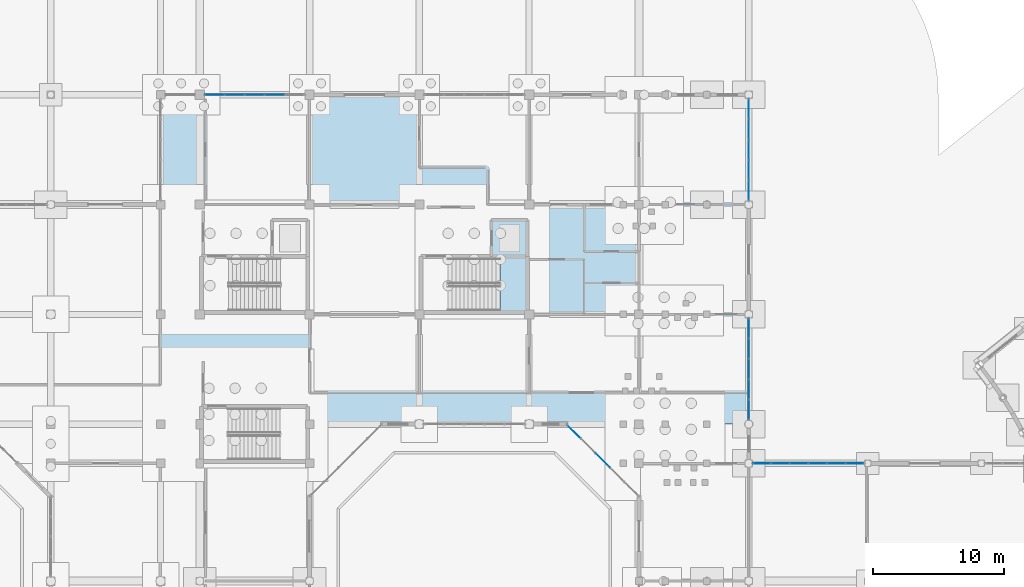
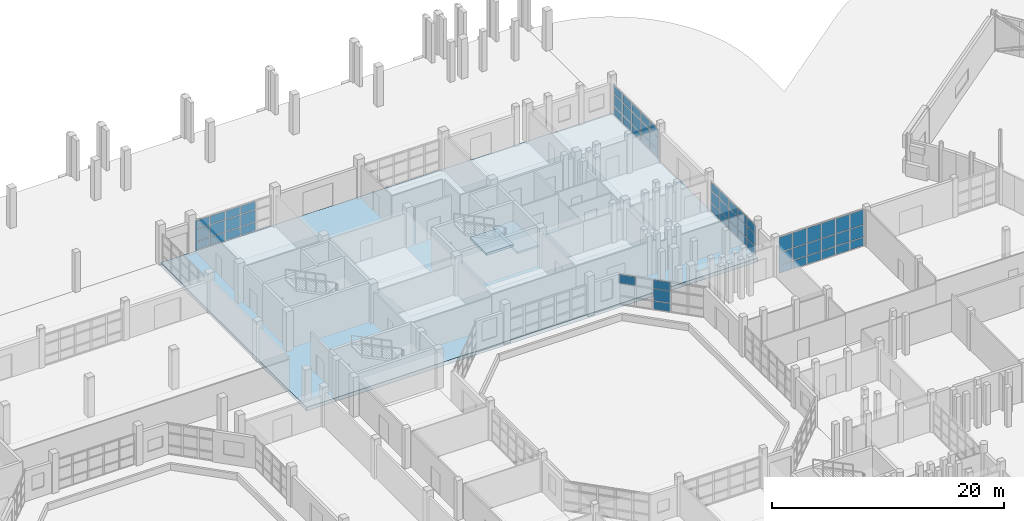
# One storey, part 53 of 88: 64 plates, 3 slabs, 6 elements without a shape of their own.
"""IFC4 building model written with IfcOpenShell, lengths in metres."""

from ifc_helpers import new_model, si_unit, direction, frame, origin, origin_2d, place, context, subcontext, project, spatial, polyline, rectangle, outline, extrude, material, layer, layer_set, type_object, element, aggregate, save


model = new_model("IFC4")

# Units and contexts
model_context = context("Model", 3, precision=1e-05, world=origin(), true_north=direction((0.0, 1.0)))
body_context = subcontext(model_context, "Body", "Model", "MODEL_VIEW")
ifc_project = project(units=[si_unit("LENGTHUNIT", "METRE"), si_unit("AREAUNIT", "SQUARE_METRE"), si_unit("VOLUMEUNIT", "CUBIC_METRE"), si_unit("PLANEANGLEUNIT", "RADIAN"), si_unit("MASSUNIT", "GRAM", prefix="KILO")], contexts=[model_context])

# Site, building, storey
site_placement = place(None, origin())
site = spatial("IfcSite", under=ifc_project, at=site_placement, CompositionType="ELEMENT")
building_placement = place(site_placement, origin())
building = spatial("IfcBuilding", under=site, at=building_placement, Name="Vanh Quang Courtyard School", CompositionType="ELEMENT")
storey_placement = place(building_placement, origin())
storey = spatial("IfcBuildingStorey", under=building, at=storey_placement, Name="L00", CompositionType="ELEMENT", Elevation=0.0)

# Curtain wall, plates
ifc_material_1 = material(Name="Thermally broken aluminium unitised curtain wall", Category="aluminium")
curtain_wall_type_1 = type_object("IfcCurtainWallType", Name="CW-SYS-01", PredefinedType="NOTDEFINED", material=ifc_material_1)
curtain_wall_1_placement = place(storey_placement, origin())
curtain_wall_1 = element("IfcCurtainWall", 1, at=curtain_wall_1_placement, inside=storey, type_object=curtain_wall_type_1, Name="Curtain Wall CW-01 (L00)", PredefinedType="NOTDEFINED")
ifc_material_2 = material(Name="Low-E laminated double glazing", Category="glass")
ifc_layer_1 = layer(ifc_material_2, 0.028076171875)
ifc_layer_set_1 = layer_set([ifc_layer_1], Name="Low-E laminated double glazing")
plate_type_1 = type_object("IfcPlateType", Name="CW-PNL-28", PredefinedType="CURTAIN_PANEL", material=ifc_layer_set_1)
plate_1_placement = place(storey_placement, frame((119.39990234375, 78.7236328125, 0.06005859375), z_axis=(0.0, 0.0, 1.0), x_axis=(0.0, -1.0, 0.0)))
plate_1 = element("IfcPlate", 2, at=plate_1_placement, type_object=plate_type_1, Name="CW-01 panel 1.1", PredefinedType="CURTAIN_PANEL", context=body_context, shape_type="SweptSolid", body=[
    extrude(rectangle(XDim=1.466796875, YDim=0.028076171875, at=origin_2d()), origin(), (0.0, 0.0, 1.0), 0.860107421875),
])
plate_2_placement = place(storey_placement, frame((119.39990234375, 78.7236328125, 0.97998046875), z_axis=(0.0, 0.0, 1.0), x_axis=(0.0, -1.0, 0.0)))
plate_2 = element("IfcPlate", 3, at=plate_2_placement, type_object=plate_type_1, Name="CW-01 panel 1.2", PredefinedType="CURTAIN_PANEL", context=body_context, shape_type="SweptSolid", body=[
    extrude(rectangle(XDim=1.466796875, YDim=0.028076171875, at=origin_2d()), origin(), (0.0, 0.0, 1.0), 1.239990234375),
])
plate_3_placement = place(storey_placement, frame((119.39990234375, 78.7236328125, 2.280029296875), z_axis=(0.0, 0.0, 1.0), x_axis=(0.0, -1.0, 0.0)))
plate_3 = element("IfcPlate", 4, at=plate_3_placement, type_object=plate_type_1, Name="CW-01 panel 1.3", PredefinedType="CURTAIN_PANEL", context=body_context, shape_type="SweptSolid", body=[
    extrude(rectangle(XDim=1.466796875, YDim=0.028076171875, at=origin_2d()), origin(), (0.0, 0.0, 1.0), 0.8798828125),
])
plate_4_placement = place(storey_placement, frame((119.39990234375, 77.181884765625, 0.06005859375), z_axis=(0.0, 0.0, 1.0), x_axis=(0.0, -1.0, 0.0)))
plate_4 = element("IfcPlate", 5, at=plate_4_placement, type_object=plate_type_1, Name="CW-01 panel 2.1", PredefinedType="CURTAIN_PANEL", context=body_context, shape_type="SweptSolid", body=[
    extrude(rectangle(XDim=1.496826171875, YDim=0.028076171875, at=origin_2d()), origin(), (0.0, 0.0, 1.0), 0.860107421875),
])
plate_5_placement = place(storey_placement, frame((119.39990234375, 77.181884765625, 0.97998046875), z_axis=(0.0, 0.0, 1.0), x_axis=(0.0, -1.0, 0.0)))
plate_5 = element("IfcPlate", 6, at=plate_5_placement, type_object=plate_type_1, Name="CW-01 panel 2.2", PredefinedType="CURTAIN_PANEL", context=body_context, shape_type="SweptSolid", body=[
    extrude(rectangle(XDim=1.496826171875, YDim=0.028076171875, at=origin_2d()), origin(), (0.0, 0.0, 1.0), 1.239990234375),
])
plate_6_placement = place(storey_placement, frame((119.39990234375, 77.181884765625, 2.280029296875), z_axis=(0.0, 0.0, 1.0), x_axis=(0.0, -1.0, 0.0)))
plate_6 = element("IfcPlate", 7, at=plate_6_placement, type_object=plate_type_1, Name="CW-01 panel 2.3", PredefinedType="CURTAIN_PANEL", context=body_context, shape_type="SweptSolid", body=[
    extrude(rectangle(XDim=1.496826171875, YDim=0.028076171875, at=origin_2d()), origin(), (0.0, 0.0, 1.0), 0.8798828125),
])
plate_7_placement = place(storey_placement, frame((119.39990234375, 75.625, 0.06005859375), z_axis=(0.0, 0.0, 1.0), x_axis=(0.0, -1.0, 0.0)))
plate_7 = element("IfcPlate", 8, at=plate_7_placement, type_object=plate_type_1, Name="CW-01 panel 3.1", PredefinedType="CURTAIN_PANEL", context=body_context, shape_type="SweptSolid", body=[
    extrude(rectangle(XDim=1.496826171875, YDim=0.028076171875, at=origin_2d()), origin(), (0.0, 0.0, 1.0), 0.860107421875),
])
plate_8_placement = place(storey_placement, frame((119.39990234375, 75.625, 0.97998046875), z_axis=(0.0, 0.0, 1.0), x_axis=(0.0, -1.0, 0.0)))
plate_8 = element("IfcPlate", 9, at=plate_8_placement, type_object=plate_type_1, Name="CW-01 panel 3.2", PredefinedType="CURTAIN_PANEL", context=body_context, shape_type="SweptSolid", body=[
    extrude(rectangle(XDim=1.496826171875, YDim=0.028076171875, at=origin_2d()), origin(), (0.0, 0.0, 1.0), 1.239990234375),
])
plate_9_placement = place(storey_placement, frame((119.39990234375, 75.625, 2.280029296875), z_axis=(0.0, 0.0, 1.0), x_axis=(0.0, -1.0, 0.0)))
plate_9 = element("IfcPlate", 10, at=plate_9_placement, type_object=plate_type_1, Name="CW-01 panel 3.3", PredefinedType="CURTAIN_PANEL", context=body_context, shape_type="SweptSolid", body=[
    extrude(rectangle(XDim=1.496826171875, YDim=0.028076171875, at=origin_2d()), origin(), (0.0, 0.0, 1.0), 0.8798828125),
])
plate_10_placement = place(storey_placement, frame((119.39990234375, 74.068115234375, 0.06005859375), z_axis=(0.0, 0.0, 1.0), x_axis=(0.0, -1.0, 0.0)))
plate_10 = element("IfcPlate", 11, at=plate_10_placement, type_object=plate_type_1, Name="CW-01 panel 4.1", PredefinedType="CURTAIN_PANEL", context=body_context, shape_type="SweptSolid", body=[
    extrude(rectangle(XDim=1.496826171875, YDim=0.028076171875, at=origin_2d()), origin(), (0.0, 0.0, 1.0), 0.860107421875),
])
plate_11_placement = place(storey_placement, frame((119.39990234375, 74.068115234375, 0.97998046875), z_axis=(0.0, 0.0, 1.0), x_axis=(0.0, -1.0, 0.0)))
plate_11 = element("IfcPlate", 12, at=plate_11_placement, type_object=plate_type_1, Name="CW-01 panel 4.2", PredefinedType="CURTAIN_PANEL", context=body_context, shape_type="SweptSolid", body=[
    extrude(rectangle(XDim=1.496826171875, YDim=0.028076171875, at=origin_2d()), origin(), (0.0, 0.0, 1.0), 1.239990234375),
])
plate_12_placement = place(storey_placement, frame((119.39990234375, 74.068115234375, 2.280029296875), z_axis=(0.0, 0.0, 1.0), x_axis=(0.0, -1.0, 0.0)))
plate_12 = element("IfcPlate", 13, at=plate_12_placement, type_object=plate_type_1, Name="CW-01 panel 4.3", PredefinedType="CURTAIN_PANEL", context=body_context, shape_type="SweptSolid", body=[
    extrude(rectangle(XDim=1.496826171875, YDim=0.028076171875, at=origin_2d()), origin(), (0.0, 0.0, 1.0), 0.8798828125),
])
plate_13_placement = place(storey_placement, frame((119.39990234375, 72.5263671875, 0.06005859375), z_axis=(0.0, 0.0, 1.0), x_axis=(0.0, -1.0, 0.0)))
plate_13 = element("IfcPlate", 14, at=plate_13_placement, type_object=plate_type_1, Name="CW-01 panel 5.1", PredefinedType="CURTAIN_PANEL", context=body_context, shape_type="SweptSolid", body=[
    extrude(rectangle(XDim=1.466796875, YDim=0.028076171875, at=origin_2d()), origin(), (0.0, 0.0, 1.0), 0.860107421875),
])
plate_14_placement = place(storey_placement, frame((119.39990234375, 72.5263671875, 0.97998046875), z_axis=(0.0, 0.0, 1.0), x_axis=(0.0, -1.0, 0.0)))
plate_14 = element("IfcPlate", 15, at=plate_14_placement, type_object=plate_type_1, Name="CW-01 panel 5.2", PredefinedType="CURTAIN_PANEL", context=body_context, shape_type="SweptSolid", body=[
    extrude(rectangle(XDim=1.466796875, YDim=0.028076171875, at=origin_2d()), origin(), (0.0, 0.0, 1.0), 1.239990234375),
])
plate_15_placement = place(storey_placement, frame((119.39990234375, 72.5263671875, 2.280029296875), z_axis=(0.0, 0.0, 1.0), x_axis=(0.0, -1.0, 0.0)))
plate_15 = element("IfcPlate", 16, at=plate_15_placement, type_object=plate_type_1, Name="CW-01 panel 5.3", PredefinedType="CURTAIN_PANEL", context=body_context, shape_type="SweptSolid", body=[
    extrude(rectangle(XDim=1.466796875, YDim=0.028076171875, at=origin_2d()), origin(), (0.0, 0.0, 1.0), 0.8798828125),
])
aggregate(curtain_wall_1, [plate_1, plate_2, plate_3, plate_4, plate_5, plate_6, plate_7, plate_8, plate_9, plate_10, plate_11, plate_12, plate_13, plate_14, plate_15])

curtain_wall_2_placement = place(storey_placement, origin())
curtain_wall_2 = element("IfcCurtainWall", 17, at=curtain_wall_2_placement, inside=storey, type_object=curtain_wall_type_1, Name="Curtain Wall CW-01 (L00)", PredefinedType="NOTDEFINED")
plate_16_placement = place(storey_placement, frame((108.22802734375, 68.6279296875, 0.06982421875), z_axis=(0.0, 0.0, 1.0), x_axis=(-0.707106781187, 0.707106781187, 0.0)))
plate_16 = element("IfcPlate", 18, at=plate_16_placement, type_object=plate_type_1, Name="CW-01 panel 3.1", PredefinedType="CURTAIN_PANEL", context=body_context, shape_type="SweptSolid", body=[
    extrude(rectangle(XDim=1.498046875, YDim=0.028076171875, at=origin_2d()), origin(), (0.0, 0.0, 1.0), 0.844970703125),
])
plate_17_placement = place(storey_placement, frame((108.22802734375, 68.6279296875, 0.985107421875), z_axis=(0.0, 0.0, 1.0), x_axis=(-0.707106781187, 0.707106781187, 0.0)))
plate_17 = element("IfcPlate", 19, at=plate_17_placement, type_object=plate_type_1, Name="CW-01 panel 3.2", PredefinedType="CURTAIN_PANEL", context=body_context, shape_type="SweptSolid", body=[
    extrude(rectangle(XDim=1.498046875, YDim=0.028076171875, at=origin_2d()), origin(), (0.0, 0.0, 1.0), 1.22998046875),
])
plate_18_placement = place(storey_placement, frame((108.22802734375, 68.6279296875, 2.28515625), z_axis=(0.0, 0.0, 1.0), x_axis=(-0.707106781187, 0.707106781187, 0.0)))
plate_18 = element("IfcPlate", 20, at=plate_18_placement, type_object=plate_type_1, Name="CW-01 panel 3.3", PredefinedType="CURTAIN_PANEL", context=body_context, shape_type="SweptSolid", body=[
    extrude(rectangle(XDim=1.498046875, YDim=0.028076171875, at=origin_2d()), origin(), (0.0, 0.0, 1.0), 0.864990234375),
])
plate_19_placement = place(storey_placement, frame((106.022705078125, 70.833251953125, 2.28515625), z_axis=(0.0, 0.0, 1.0), x_axis=(-0.707106781187, 0.707106781187, 0.0)))
plate_19 = element("IfcPlate", 21, at=plate_19_placement, type_object=plate_type_1, Name="CW-01 panel 5.3", PredefinedType="CURTAIN_PANEL", context=body_context, shape_type="SweptSolid", body=[
    extrude(rectangle(XDim=1.463134765625, YDim=0.028076171875, at=origin_2d()), origin(), (0.0, 0.0, 1.0), 0.864990234375),
])
aggregate(curtain_wall_2, [plate_16, plate_17, plate_18, plate_19])

curtain_wall_type_2 = type_object("IfcCurtainWallType", Name="CW-SYS-02", PredefinedType="NOTDEFINED", material=ifc_material_1)
curtain_wall_3_placement = place(storey_placement, origin())
curtain_wall_3 = element("IfcCurtainWall", 22, at=curtain_wall_3_placement, inside=storey, type_object=curtain_wall_type_2, Name="Curtain Wall CW-02 (L00)", PredefinedType="NOTDEFINED")
ifc_layer_2 = layer(ifc_material_2, 0.031982421875)
ifc_layer_set_2 = layer_set([ifc_layer_2], Name="Low-E laminated double glazing")
plate_type_2 = type_object("IfcPlateType", Name="CW-PNL-32", PredefinedType="CURTAIN_PANEL", material=ifc_layer_set_2)
plate_20_placement = place(storey_placement, frame((78.54150390625, 96.60009765625, 0.06005859375), z_axis=(0.0, 0.0, 1.0), x_axis=(1.0, 0.0, 0.0)))
plate_20 = element("IfcPlate", 23, at=plate_20_placement, type_object=plate_type_2, Name="CW-02 panel 1.1", PredefinedType="CURTAIN_PANEL", context=body_context, shape_type="SweptSolid", body=[
    extrude(rectangle(XDim=1.44677734375, YDim=0.031982421875, at=origin_2d()), origin(), (0.0, 0.0, 1.0), 0.860107421875),
])
plate_21_placement = place(storey_placement, frame((78.54150390625, 96.60009765625, 0.97998046875), z_axis=(0.0, 0.0, 1.0), x_axis=(1.0, 0.0, 0.0)))
plate_21 = element("IfcPlate", 24, at=plate_21_placement, type_object=plate_type_2, Name="CW-02 panel 1.2", PredefinedType="CURTAIN_PANEL", context=body_context, shape_type="SweptSolid", body=[
    extrude(rectangle(XDim=1.44677734375, YDim=0.031982421875, at=origin_2d()), origin(), (0.0, 0.0, 1.0), 1.239990234375),
])
plate_22_placement = place(storey_placement, frame((78.54150390625, 96.60009765625, 2.280029296875), z_axis=(0.0, 0.0, 1.0), x_axis=(1.0, 0.0, 0.0)))
plate_22 = element("IfcPlate", 25, at=plate_22_placement, type_object=plate_type_2, Name="CW-02 panel 1.3", PredefinedType="CURTAIN_PANEL", context=body_context, shape_type="SweptSolid", body=[
    extrude(rectangle(XDim=1.44677734375, YDim=0.031982421875, at=origin_2d()), origin(), (0.0, 0.0, 1.0), 0.8798828125),
])
plate_23_placement = place(storey_placement, frame((80.063232421875, 96.60009765625, 0.06005859375), z_axis=(0.0, 0.0, 1.0), x_axis=(1.0, 0.0, 0.0)))
plate_23 = element("IfcPlate", 26, at=plate_23_placement, type_object=plate_type_2, Name="CW-02 panel 2.1", PredefinedType="CURTAIN_PANEL", context=body_context, shape_type="SweptSolid", body=[
    extrude(rectangle(XDim=1.476806640625, YDim=0.031982421875, at=origin_2d()), origin(), (0.0, 0.0, 1.0), 0.860107421875),
])
plate_24_placement = place(storey_placement, frame((80.063232421875, 96.60009765625, 0.97998046875), z_axis=(0.0, 0.0, 1.0), x_axis=(1.0, 0.0, 0.0)))
plate_24 = element("IfcPlate", 27, at=plate_24_placement, type_object=plate_type_2, Name="CW-02 panel 2.2", PredefinedType="CURTAIN_PANEL", context=body_context, shape_type="SweptSolid", body=[
    extrude(rectangle(XDim=1.476806640625, YDim=0.031982421875, at=origin_2d()), origin(), (0.0, 0.0, 1.0), 1.239990234375),
])
plate_25_placement = place(storey_placement, frame((80.063232421875, 96.60009765625, 2.280029296875), z_axis=(0.0, 0.0, 1.0), x_axis=(1.0, 0.0, 0.0)))
plate_25 = element("IfcPlate", 28, at=plate_25_placement, type_object=plate_type_2, Name="CW-02 panel 2.3", PredefinedType="CURTAIN_PANEL", context=body_context, shape_type="SweptSolid", body=[
    extrude(rectangle(XDim=1.476806640625, YDim=0.031982421875, at=origin_2d()), origin(), (0.0, 0.0, 1.0), 0.8798828125),
])
plate_26_placement = place(storey_placement, frame((81.60009765625, 96.60009765625, 0.06005859375), z_axis=(0.0, 0.0, 1.0), x_axis=(1.0, 0.0, 0.0)))
plate_26 = element("IfcPlate", 29, at=plate_26_placement, type_object=plate_type_2, Name="CW-02 panel 3.1", PredefinedType="CURTAIN_PANEL", context=body_context, shape_type="SweptSolid", body=[
    extrude(rectangle(XDim=1.476806640625, YDim=0.031982421875, at=origin_2d()), origin(), (0.0, 0.0, 1.0), 0.860107421875),
])
plate_27_placement = place(storey_placement, frame((81.60009765625, 96.60009765625, 0.97998046875), z_axis=(0.0, 0.0, 1.0), x_axis=(1.0, 0.0, 0.0)))
plate_27 = element("IfcPlate", 30, at=plate_27_placement, type_object=plate_type_2, Name="CW-02 panel 3.2", PredefinedType="CURTAIN_PANEL", context=body_context, shape_type="SweptSolid", body=[
    extrude(rectangle(XDim=1.476806640625, YDim=0.031982421875, at=origin_2d()), origin(), (0.0, 0.0, 1.0), 1.239990234375),
])
plate_28_placement = place(storey_placement, frame((81.60009765625, 96.60009765625, 2.280029296875), z_axis=(0.0, 0.0, 1.0), x_axis=(1.0, 0.0, 0.0)))
plate_28 = element("IfcPlate", 31, at=plate_28_placement, type_object=plate_type_2, Name="CW-02 panel 3.3", PredefinedType="CURTAIN_PANEL", context=body_context, shape_type="SweptSolid", body=[
    extrude(rectangle(XDim=1.476806640625, YDim=0.031982421875, at=origin_2d()), origin(), (0.0, 0.0, 1.0), 0.8798828125),
])
plate_29_placement = place(storey_placement, frame((83.13671875, 96.60009765625, 0.06005859375), z_axis=(0.0, 0.0, 1.0), x_axis=(1.0, 0.0, 0.0)))
plate_29 = element("IfcPlate", 32, at=plate_29_placement, type_object=plate_type_2, Name="CW-02 panel 4.1", PredefinedType="CURTAIN_PANEL", context=body_context, shape_type="SweptSolid", body=[
    extrude(rectangle(XDim=1.476806640625, YDim=0.031982421875, at=origin_2d()), origin(), (0.0, 0.0, 1.0), 0.860107421875),
])
plate_30_placement = place(storey_placement, frame((83.13671875, 96.60009765625, 0.97998046875), z_axis=(0.0, 0.0, 1.0), x_axis=(1.0, 0.0, 0.0)))
plate_30 = element("IfcPlate", 33, at=plate_30_placement, type_object=plate_type_2, Name="CW-02 panel 4.2", PredefinedType="CURTAIN_PANEL", context=body_context, shape_type="SweptSolid", body=[
    extrude(rectangle(XDim=1.476806640625, YDim=0.031982421875, at=origin_2d()), origin(), (0.0, 0.0, 1.0), 1.239990234375),
])
plate_31_placement = place(storey_placement, frame((83.13671875, 96.60009765625, 2.280029296875), z_axis=(0.0, 0.0, 1.0), x_axis=(1.0, 0.0, 0.0)))
plate_31 = element("IfcPlate", 34, at=plate_31_placement, type_object=plate_type_2, Name="CW-02 panel 4.3", PredefinedType="CURTAIN_PANEL", context=body_context, shape_type="SweptSolid", body=[
    extrude(rectangle(XDim=1.476806640625, YDim=0.031982421875, at=origin_2d()), origin(), (0.0, 0.0, 1.0), 0.8798828125),
])
aggregate(curtain_wall_3, [plate_20, plate_21, plate_22, plate_23, plate_24, plate_25, plate_26, plate_27, plate_28, plate_29, plate_30, plate_31])

curtain_wall_4_placement = place(storey_placement, origin())
curtain_wall_4 = element("IfcCurtainWall", 35, at=curtain_wall_4_placement, inside=storey, type_object=curtain_wall_type_1, Name="Curtain Wall CW-01 (L00)", PredefinedType="NOTDEFINED")
plate_32_placement = place(storey_placement, frame((119.39990234375, 95.513671875, 0.080078125), z_axis=(0.0, 0.0, 1.0), x_axis=(0.0, -1.0, 0.0)))
plate_32 = element("IfcPlate", 36, at=plate_32_placement, type_object=plate_type_2, Name="CW-01 panel 1.1", PredefinedType="CURTAIN_PANEL", context=body_context, shape_type="SweptSolid", body=[
    extrude(rectangle(XDim=1.44677734375, YDim=0.031982421875, at=origin_2d()), origin(), (0.0, 0.0, 1.0), 0.830078125),
])
plate_33_placement = place(storey_placement, frame((119.39990234375, 95.513671875, 0.990234375), z_axis=(0.0, 0.0, 1.0), x_axis=(0.0, -1.0, 0.0)))
plate_33 = element("IfcPlate", 37, at=plate_33_placement, type_object=plate_type_2, Name="CW-01 panel 1.2", PredefinedType="CURTAIN_PANEL", context=body_context, shape_type="SweptSolid", body=[
    extrude(rectangle(XDim=1.44677734375, YDim=0.031982421875, at=origin_2d()), origin(), (0.0, 0.0, 1.0), 1.219970703125),
])
plate_34_placement = place(storey_placement, frame((119.39990234375, 95.513671875, 2.2900390625), z_axis=(0.0, 0.0, 1.0), x_axis=(0.0, -1.0, 0.0)))
plate_34 = element("IfcPlate", 38, at=plate_34_placement, type_object=plate_type_2, Name="CW-01 panel 1.3", PredefinedType="CURTAIN_PANEL", context=body_context, shape_type="SweptSolid", body=[
    extrude(rectangle(XDim=1.44677734375, YDim=0.031982421875, at=origin_2d()), origin(), (0.0, 0.0, 1.0), 0.85009765625),
])
plate_35_placement = place(storey_placement, frame((119.39990234375, 93.966796875, 0.080078125), z_axis=(0.0, 0.0, 1.0), x_axis=(0.0, -1.0, 0.0)))
plate_35 = element("IfcPlate", 39, at=plate_35_placement, type_object=plate_type_2, Name="CW-01 panel 2.1", PredefinedType="CURTAIN_PANEL", context=body_context, shape_type="SweptSolid", body=[
    extrude(rectangle(XDim=1.48681640625, YDim=0.031982421875, at=origin_2d()), origin(), (0.0, 0.0, 1.0), 0.830078125),
])
plate_36_placement = place(storey_placement, frame((119.39990234375, 93.966796875, 0.990234375), z_axis=(0.0, 0.0, 1.0), x_axis=(0.0, -1.0, 0.0)))
plate_36 = element("IfcPlate", 40, at=plate_36_placement, type_object=plate_type_2, Name="CW-01 panel 2.2", PredefinedType="CURTAIN_PANEL", context=body_context, shape_type="SweptSolid", body=[
    extrude(rectangle(XDim=1.48681640625, YDim=0.031982421875, at=origin_2d()), origin(), (0.0, 0.0, 1.0), 1.219970703125),
])
plate_37_placement = place(storey_placement, frame((119.39990234375, 93.966796875, 2.2900390625), z_axis=(0.0, 0.0, 1.0), x_axis=(0.0, -1.0, 0.0)))
plate_37 = element("IfcPlate", 41, at=plate_37_placement, type_object=plate_type_2, Name="CW-01 panel 2.3", PredefinedType="CURTAIN_PANEL", context=body_context, shape_type="SweptSolid", body=[
    extrude(rectangle(XDim=1.48681640625, YDim=0.031982421875, at=origin_2d()), origin(), (0.0, 0.0, 1.0), 0.85009765625),
])
plate_38_placement = place(storey_placement, frame((119.39990234375, 92.39990234375, 0.080078125), z_axis=(0.0, 0.0, 1.0), x_axis=(0.0, -1.0, 0.0)))
plate_38 = element("IfcPlate", 42, at=plate_38_placement, type_object=plate_type_2, Name="CW-01 panel 3.1", PredefinedType="CURTAIN_PANEL", context=body_context, shape_type="SweptSolid", body=[
    extrude(rectangle(XDim=1.48681640625, YDim=0.031982421875, at=origin_2d()), origin(), (0.0, 0.0, 1.0), 0.830078125),
])
plate_39_placement = place(storey_placement, frame((119.39990234375, 92.39990234375, 0.990234375), z_axis=(0.0, 0.0, 1.0), x_axis=(0.0, -1.0, 0.0)))
plate_39 = element("IfcPlate", 43, at=plate_39_placement, type_object=plate_type_2, Name="CW-01 panel 3.2", PredefinedType="CURTAIN_PANEL", context=body_context, shape_type="SweptSolid", body=[
    extrude(rectangle(XDim=1.48681640625, YDim=0.031982421875, at=origin_2d()), origin(), (0.0, 0.0, 1.0), 1.219970703125),
])
plate_40_placement = place(storey_placement, frame((119.39990234375, 92.39990234375, 2.2900390625), z_axis=(0.0, 0.0, 1.0), x_axis=(0.0, -1.0, 0.0)))
plate_40 = element("IfcPlate", 44, at=plate_40_placement, type_object=plate_type_2, Name="CW-01 panel 3.3", PredefinedType="CURTAIN_PANEL", context=body_context, shape_type="SweptSolid", body=[
    extrude(rectangle(XDim=1.48681640625, YDim=0.031982421875, at=origin_2d()), origin(), (0.0, 0.0, 1.0), 0.85009765625),
])
plate_41_placement = place(storey_placement, frame((119.39990234375, 90.833251953125, 0.080078125), z_axis=(0.0, 0.0, 1.0), x_axis=(0.0, -1.0, 0.0)))
plate_41 = element("IfcPlate", 45, at=plate_41_placement, type_object=plate_type_2, Name="CW-01 panel 4.1", PredefinedType="CURTAIN_PANEL", context=body_context, shape_type="SweptSolid", body=[
    extrude(rectangle(XDim=1.48681640625, YDim=0.031982421875, at=origin_2d()), origin(), (0.0, 0.0, 1.0), 0.830078125),
])
plate_42_placement = place(storey_placement, frame((119.39990234375, 90.833251953125, 0.990234375), z_axis=(0.0, 0.0, 1.0), x_axis=(0.0, -1.0, 0.0)))
plate_42 = element("IfcPlate", 46, at=plate_42_placement, type_object=plate_type_2, Name="CW-01 panel 4.2", PredefinedType="CURTAIN_PANEL", context=body_context, shape_type="SweptSolid", body=[
    extrude(rectangle(XDim=1.48681640625, YDim=0.031982421875, at=origin_2d()), origin(), (0.0, 0.0, 1.0), 1.219970703125),
])
plate_43_placement = place(storey_placement, frame((119.39990234375, 90.833251953125, 2.2900390625), z_axis=(0.0, 0.0, 1.0), x_axis=(0.0, -1.0, 0.0)))
plate_43 = element("IfcPlate", 47, at=plate_43_placement, type_object=plate_type_2, Name="CW-01 panel 4.3", PredefinedType="CURTAIN_PANEL", context=body_context, shape_type="SweptSolid", body=[
    extrude(rectangle(XDim=1.48681640625, YDim=0.031982421875, at=origin_2d()), origin(), (0.0, 0.0, 1.0), 0.85009765625),
])
plate_44_placement = place(storey_placement, frame((119.39990234375, 89.286376953125, 0.080078125), z_axis=(0.0, 0.0, 1.0), x_axis=(0.0, -1.0, 0.0)))
plate_44 = element("IfcPlate", 48, at=plate_44_placement, type_object=plate_type_2, Name="CW-01 panel 5.1", PredefinedType="CURTAIN_PANEL", context=body_context, shape_type="SweptSolid", body=[
    extrude(rectangle(XDim=1.44677734375, YDim=0.031982421875, at=origin_2d()), origin(), (0.0, 0.0, 1.0), 0.830078125),
])
plate_45_placement = place(storey_placement, frame((119.39990234375, 89.286376953125, 0.990234375), z_axis=(0.0, 0.0, 1.0), x_axis=(0.0, -1.0, 0.0)))
plate_45 = element("IfcPlate", 49, at=plate_45_placement, type_object=plate_type_2, Name="CW-01 panel 5.2", PredefinedType="CURTAIN_PANEL", context=body_context, shape_type="SweptSolid", body=[
    extrude(rectangle(XDim=1.44677734375, YDim=0.031982421875, at=origin_2d()), origin(), (0.0, 0.0, 1.0), 1.219970703125),
])
plate_46_placement = place(storey_placement, frame((119.39990234375, 89.286376953125, 2.2900390625), z_axis=(0.0, 0.0, 1.0), x_axis=(0.0, -1.0, 0.0)))
plate_46 = element("IfcPlate", 50, at=plate_46_placement, type_object=plate_type_2, Name="CW-01 panel 5.3", PredefinedType="CURTAIN_PANEL", context=body_context, shape_type="SweptSolid", body=[
    extrude(rectangle(XDim=1.44677734375, YDim=0.031982421875, at=origin_2d()), origin(), (0.0, 0.0, 1.0), 0.85009765625),
])
aggregate(curtain_wall_4, [plate_32, plate_33, plate_34, plate_35, plate_36, plate_37, plate_38, plate_39, plate_40, plate_41, plate_42, plate_43, plate_44, plate_45, plate_46])

curtain_wall_type_3 = type_object("IfcCurtainWallType", Name="CW-SYS-03", PredefinedType="NOTDEFINED", material=ifc_material_1)
curtain_wall_5_placement = place(storey_placement, origin())
curtain_wall_5 = element("IfcCurtainWall", 51, at=curtain_wall_5_placement, inside=storey, type_object=curtain_wall_type_3, Name="Curtain Wall CW-03 (L00)", PredefinedType="NOTDEFINED")
plate_47_placement = place(storey_placement, frame((120.413818359375, 68.39990234375, 0.06982421875), z_axis=(0.0, 0.0, 1.0), x_axis=(1.0, 0.0, 0.0)))
plate_47 = element("IfcPlate", 52, at=plate_47_placement, type_object=plate_type_2, Name="CW-03 panel 1.1", PredefinedType="CURTAIN_PANEL", context=body_context, shape_type="SweptSolid", body=[
    extrude(rectangle(XDim=1.321533203125, YDim=0.031982421875, at=origin_2d()), origin(), (0.0, 0.0, 1.0), 0.844970703125),
])
plate_48_placement = place(storey_placement, frame((120.413818359375, 68.39990234375, 0.985107421875), z_axis=(0.0, 0.0, 1.0), x_axis=(1.0, 0.0, 0.0)))
plate_48 = element("IfcPlate", 53, at=plate_48_placement, type_object=plate_type_2, Name="CW-03 panel 1.2", PredefinedType="CURTAIN_PANEL", context=body_context, shape_type="SweptSolid", body=[
    extrude(rectangle(XDim=1.321533203125, YDim=0.031982421875, at=origin_2d()), origin(), (0.0, 0.0, 1.0), 1.22998046875),
])
plate_49_placement = place(storey_placement, frame((120.413818359375, 68.39990234375, 2.284912109375), z_axis=(0.0, 0.0, 1.0), x_axis=(1.0, 0.0, 0.0)))
plate_49 = element("IfcPlate", 54, at=plate_49_placement, type_object=plate_type_2, Name="CW-03 panel 1.3", PredefinedType="CURTAIN_PANEL", context=body_context, shape_type="SweptSolid", body=[
    extrude(rectangle(XDim=1.321533203125, YDim=0.031982421875, at=origin_2d()), origin(), (0.0, 0.0, 1.0), 1.56494140625),
])
plate_50_placement = place(storey_placement, frame((121.82275390625, 68.39990234375, 0.06982421875), z_axis=(0.0, 0.0, 1.0), x_axis=(1.0, 0.0, 0.0)))
plate_50 = element("IfcPlate", 55, at=plate_50_placement, type_object=plate_type_2, Name="CW-03 panel 2.1", PredefinedType="CURTAIN_PANEL", context=body_context, shape_type="SweptSolid", body=[
    extrude(rectangle(XDim=1.3564453125, YDim=0.031982421875, at=origin_2d()), origin(), (0.0, 0.0, 1.0), 0.844970703125),
])
plate_51_placement = place(storey_placement, frame((121.82275390625, 68.39990234375, 0.985107421875), z_axis=(0.0, 0.0, 1.0), x_axis=(1.0, 0.0, 0.0)))
plate_51 = element("IfcPlate", 56, at=plate_51_placement, type_object=plate_type_2, Name="CW-03 panel 2.2", PredefinedType="CURTAIN_PANEL", context=body_context, shape_type="SweptSolid", body=[
    extrude(rectangle(XDim=1.3564453125, YDim=0.031982421875, at=origin_2d()), origin(), (0.0, 0.0, 1.0), 1.22998046875),
])
plate_52_placement = place(storey_placement, frame((121.82275390625, 68.39990234375, 2.284912109375), z_axis=(0.0, 0.0, 1.0), x_axis=(1.0, 0.0, 0.0)))
plate_52 = element("IfcPlate", 57, at=plate_52_placement, type_object=plate_type_2, Name="CW-03 panel 2.3", PredefinedType="CURTAIN_PANEL", context=body_context, shape_type="SweptSolid", body=[
    extrude(rectangle(XDim=1.3564453125, YDim=0.031982421875, at=origin_2d()), origin(), (0.0, 0.0, 1.0), 1.56494140625),
])
plate_53_placement = place(storey_placement, frame((123.249267578125, 68.39990234375, 0.06982421875), z_axis=(0.0, 0.0, 1.0), x_axis=(1.0, 0.0, 0.0)))
plate_53 = element("IfcPlate", 58, at=plate_53_placement, type_object=plate_type_2, Name="CW-03 panel 3.1", PredefinedType="CURTAIN_PANEL", context=body_context, shape_type="SweptSolid", body=[
    extrude(rectangle(XDim=1.3564453125, YDim=0.031982421875, at=origin_2d()), origin(), (0.0, 0.0, 1.0), 0.844970703125),
])
plate_54_placement = place(storey_placement, frame((123.249267578125, 68.39990234375, 0.985107421875), z_axis=(0.0, 0.0, 1.0), x_axis=(1.0, 0.0, 0.0)))
plate_54 = element("IfcPlate", 59, at=plate_54_placement, type_object=plate_type_2, Name="CW-03 panel 3.2", PredefinedType="CURTAIN_PANEL", context=body_context, shape_type="SweptSolid", body=[
    extrude(rectangle(XDim=1.3564453125, YDim=0.031982421875, at=origin_2d()), origin(), (0.0, 0.0, 1.0), 1.22998046875),
])
plate_55_placement = place(storey_placement, frame((123.249267578125, 68.39990234375, 2.284912109375), z_axis=(0.0, 0.0, 1.0), x_axis=(1.0, 0.0, 0.0)))
plate_55 = element("IfcPlate", 60, at=plate_55_placement, type_object=plate_type_2, Name="CW-03 panel 3.3", PredefinedType="CURTAIN_PANEL", context=body_context, shape_type="SweptSolid", body=[
    extrude(rectangle(XDim=1.3564453125, YDim=0.031982421875, at=origin_2d()), origin(), (0.0, 0.0, 1.0), 1.56494140625),
])
plate_56_placement = place(storey_placement, frame((124.67578125, 68.39990234375, 0.06982421875), z_axis=(0.0, 0.0, 1.0), x_axis=(1.0, 0.0, 0.0)))
plate_56 = element("IfcPlate", 61, at=plate_56_placement, type_object=plate_type_2, Name="CW-03 panel 4.1", PredefinedType="CURTAIN_PANEL", context=body_context, shape_type="SweptSolid", body=[
    extrude(rectangle(XDim=1.3564453125, YDim=0.031982421875, at=origin_2d()), origin(), (0.0, 0.0, 1.0), 0.844970703125),
])
plate_57_placement = place(storey_placement, frame((124.67578125, 68.39990234375, 0.985107421875), z_axis=(0.0, 0.0, 1.0), x_axis=(1.0, 0.0, 0.0)))
plate_57 = element("IfcPlate", 62, at=plate_57_placement, type_object=plate_type_2, Name="CW-03 panel 4.2", PredefinedType="CURTAIN_PANEL", context=body_context, shape_type="SweptSolid", body=[
    extrude(rectangle(XDim=1.3564453125, YDim=0.031982421875, at=origin_2d()), origin(), (0.0, 0.0, 1.0), 1.22998046875),
])
plate_58_placement = place(storey_placement, frame((124.67578125, 68.39990234375, 2.284912109375), z_axis=(0.0, 0.0, 1.0), x_axis=(1.0, 0.0, 0.0)))
plate_58 = element("IfcPlate", 63, at=plate_58_placement, type_object=plate_type_2, Name="CW-03 panel 4.3", PredefinedType="CURTAIN_PANEL", context=body_context, shape_type="SweptSolid", body=[
    extrude(rectangle(XDim=1.3564453125, YDim=0.031982421875, at=origin_2d()), origin(), (0.0, 0.0, 1.0), 1.56494140625),
])
plate_59_placement = place(storey_placement, frame((126.102294921875, 68.39990234375, 0.06982421875), z_axis=(0.0, 0.0, 1.0), x_axis=(1.0, 0.0, 0.0)))
plate_59 = element("IfcPlate", 64, at=plate_59_placement, type_object=plate_type_2, Name="CW-03 panel 5.1", PredefinedType="CURTAIN_PANEL", context=body_context, shape_type="SweptSolid", body=[
    extrude(rectangle(XDim=1.3564453125, YDim=0.031982421875, at=origin_2d()), origin(), (0.0, 0.0, 1.0), 0.844970703125),
])
plate_60_placement = place(storey_placement, frame((126.102294921875, 68.39990234375, 0.985107421875), z_axis=(0.0, 0.0, 1.0), x_axis=(1.0, 0.0, 0.0)))
plate_60 = element("IfcPlate", 65, at=plate_60_placement, type_object=plate_type_2, Name="CW-03 panel 5.2", PredefinedType="CURTAIN_PANEL", context=body_context, shape_type="SweptSolid", body=[
    extrude(rectangle(XDim=1.3564453125, YDim=0.031982421875, at=origin_2d()), origin(), (0.0, 0.0, 1.0), 1.22998046875),
])
plate_61_placement = place(storey_placement, frame((126.102294921875, 68.39990234375, 2.284912109375), z_axis=(0.0, 0.0, 1.0), x_axis=(1.0, 0.0, 0.0)))
plate_61 = element("IfcPlate", 66, at=plate_61_placement, type_object=plate_type_2, Name="CW-03 panel 5.3", PredefinedType="CURTAIN_PANEL", context=body_context, shape_type="SweptSolid", body=[
    extrude(rectangle(XDim=1.3564453125, YDim=0.031982421875, at=origin_2d()), origin(), (0.0, 0.0, 1.0), 1.56494140625),
])
plate_62_placement = place(storey_placement, frame((127.51123046875, 68.39990234375, 0.06982421875), z_axis=(0.0, 0.0, 1.0), x_axis=(1.0, 0.0, 0.0)))
plate_62 = element("IfcPlate", 67, at=plate_62_placement, type_object=plate_type_2, Name="CW-03 panel 6.1", PredefinedType="CURTAIN_PANEL", context=body_context, shape_type="SweptSolid", body=[
    extrude(rectangle(XDim=1.321533203125, YDim=0.031982421875, at=origin_2d()), origin(), (0.0, 0.0, 1.0), 0.844970703125),
])
plate_63_placement = place(storey_placement, frame((127.51123046875, 68.39990234375, 0.985107421875), z_axis=(0.0, 0.0, 1.0), x_axis=(1.0, 0.0, 0.0)))
plate_63 = element("IfcPlate", 68, at=plate_63_placement, type_object=plate_type_2, Name="CW-03 panel 6.2", PredefinedType="CURTAIN_PANEL", context=body_context, shape_type="SweptSolid", body=[
    extrude(rectangle(XDim=1.321533203125, YDim=0.031982421875, at=origin_2d()), origin(), (0.0, 0.0, 1.0), 1.22998046875),
])
plate_64_placement = place(storey_placement, frame((127.51123046875, 68.39990234375, 2.284912109375), z_axis=(0.0, 0.0, 1.0), x_axis=(1.0, 0.0, 0.0)))
plate_64 = element("IfcPlate", 69, at=plate_64_placement, type_object=plate_type_2, Name="CW-03 panel 6.3", PredefinedType="CURTAIN_PANEL", context=body_context, shape_type="SweptSolid", body=[
    extrude(rectangle(XDim=1.321533203125, YDim=0.031982421875, at=origin_2d()), origin(), (0.0, 0.0, 1.0), 1.56494140625),
])
aggregate(curtain_wall_5, [plate_47, plate_48, plate_49, plate_50, plate_51, plate_52, plate_53, plate_54, plate_55, plate_56, plate_57, plate_58, plate_59, plate_60, plate_61, plate_62, plate_63, plate_64])

# Slabs
ifc_material_3 = material(Name="Concrete C30/37", Category="concrete")
ifc_layer_3 = layer(ifc_material_3, 0.39990234375)
ifc_layer_set_3 = layer_set([ifc_layer_3], Name="Concrete C30/37")
slab_type_1 = type_object("IfcSlabType", Name="SLB-BASE-400", PredefinedType="BASESLAB", material=ifc_layer_set_3)
slab_1_placement = place(storey_placement, frame((0.0, 0.0, -0.39990234375)))
element("IfcSlab", 70, at=slab_1_placement, inside=storey, type_object=slab_type_1, Name="Slab BSL-01 (L00)", PredefinedType="BASESLAB", context=body_context, shape_type="SweptSolid", body=[
    extrude(outline(polyline([(119.39990234375, 71.39990234375), (119.39990234375, 96.60009765625), (74.39990234375, 96.60009765625), (74.39990234375, 71.39990234375), (119.39990234375, 71.39990234375)])), origin(), (0.0, 0.0, 1.0), 0.39990234375),
])
ifc_layer_4 = layer(ifc_material_3, 0.25)
ifc_layer_set_4 = layer_set([ifc_layer_4], Name="Concrete C30/37")
slab_type_2 = type_object("IfcSlabType", Name="SLB-FLR-250", PredefinedType="FLOOR", material=ifc_layer_set_4)
slab_2_placement = place(storey_placement, frame((0.0, 0.0, -0.64990234375)))
element("IfcSlab", 71, at=slab_2_placement, inside=storey, type_object=slab_type_2, Name="Slab SF-04 (L00)", PredefinedType="FLOOR", context=body_context, shape_type="SweptSolid", body=[
    extrude(outline(polyline([(99.719970703125, 84.219970703125), (102.4599609375, 84.219970703125), (102.4599609375, 87.02001953125), (99.719970703125, 87.02001953125), (99.719970703125, 84.219970703125)])), origin(), (0.0, 0.0, 1.0), 0.25),
])

# Stair, slab
stair_type = type_object("IfcStairType", Name="STR-CORE-1920", PredefinedType="HALF_TURN_STAIR", material=ifc_material_3)
stair_placement = place(storey_placement, origin())
stair = element("IfcStair", 72, at=stair_placement, inside=storey, type_object=stair_type, Name="L00 ST-02", PredefinedType="HALF_TURN_STAIR")
ifc_layer_5 = layer(ifc_material_3, 0.199951171875)
ifc_layer_set_5 = layer_set([ifc_layer_5], Name="Concrete C30/37")
slab_type_3 = type_object("IfcSlabType", Name="SLB-LND-200", PredefinedType="LANDING", material=ifc_layer_set_5)
slab_3_placement = place(storey_placement, frame((0.0, 0.0, 1.89990234375)))
slab_3 = element("IfcSlab", 73, at=slab_3_placement, type_object=slab_type_3, Name="ST-02 landing 1", PredefinedType="LANDING", context=body_context, shape_type="SweptSolid", body=[
    extrude(outline(polyline([(100.364990234375, 79.919921875), (102.47998046875, 79.919921875), (102.47998046875, 84.239990234375), (100.364990234375, 84.239990234375), (100.364990234375, 79.919921875)])), origin(), (0.0, 0.0, 1.0), 0.2001953125),
])
aggregate(stair, [slab_3])

save(model, "model.ifc")
